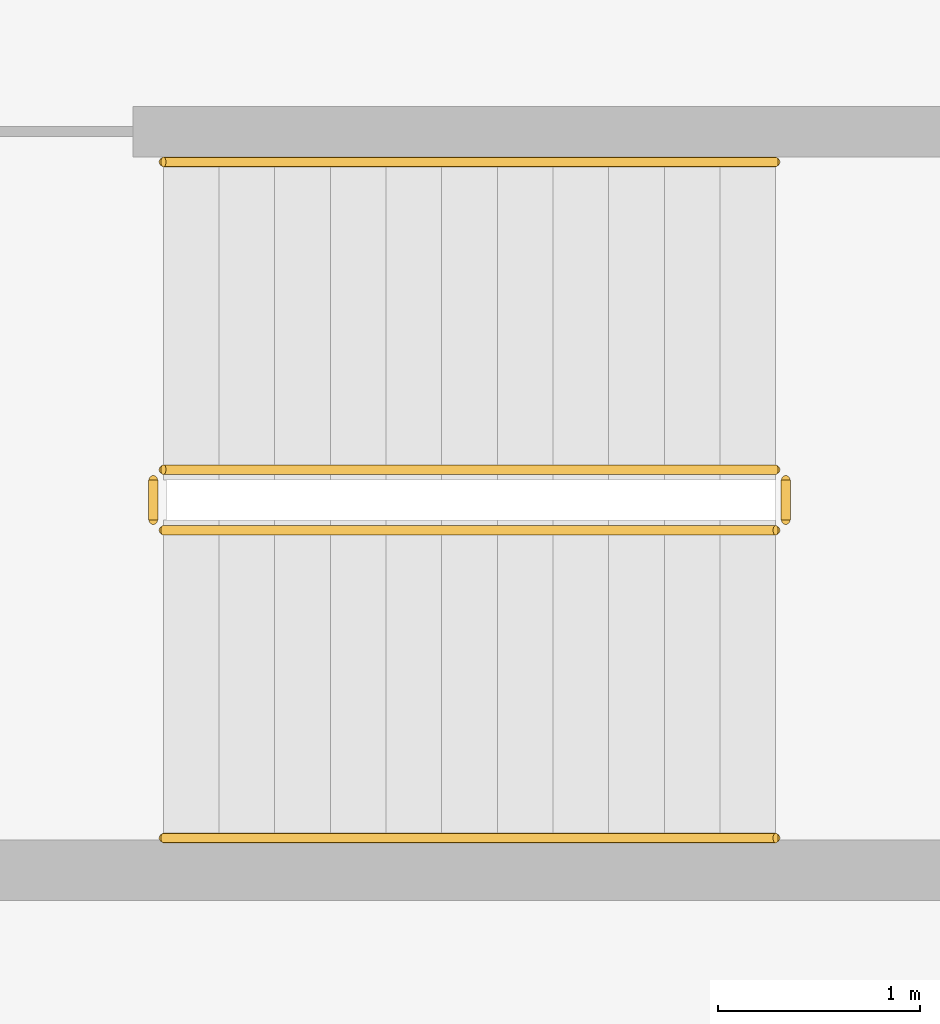
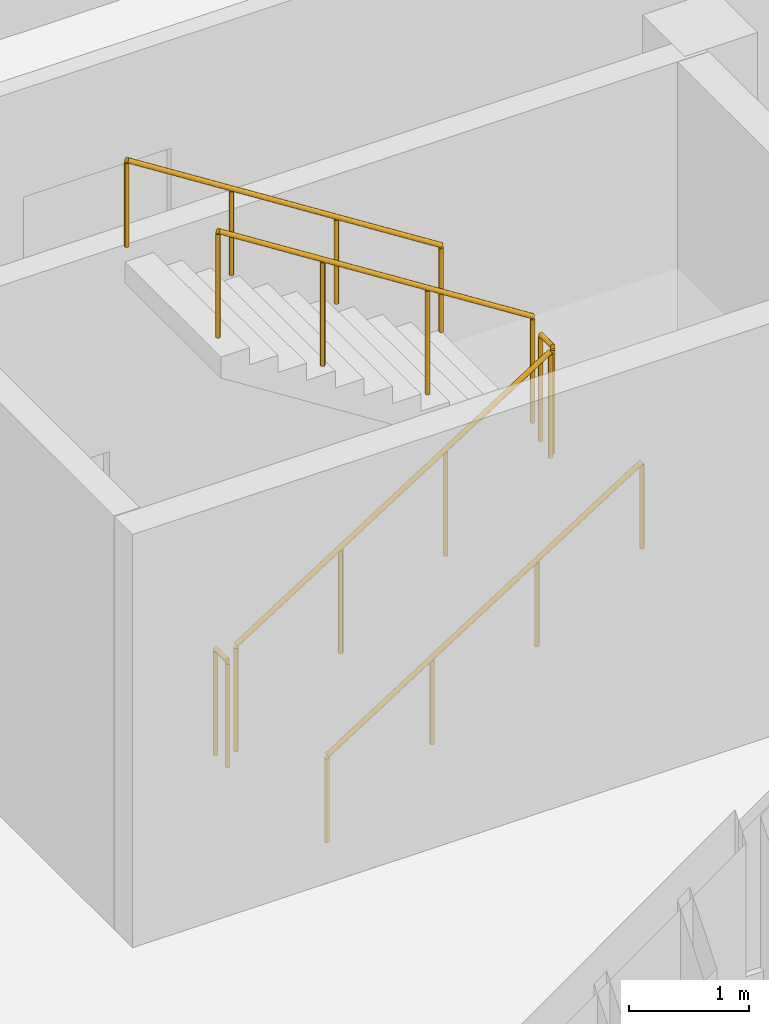
# One storey, part 81 of 83: 6 railings.
"""IFC4 building model written with IfcOpenShell, lengths in metres."""

from ifc_helpers import new_model, si_unit, direction, frame, origin, origin_2d, place, context, subcontext, project, spatial, circle, extrude, material, type_object, element, save


model = new_model("IFC4")

# Units and contexts
model_context = context("Model", 3, precision=1e-05, world=origin(), true_north=direction((0.0, 1.0)))
body_context = subcontext(model_context, "Body", "Model", "MODEL_VIEW")
ifc_project = project(units=[si_unit("LENGTHUNIT", "METRE"), si_unit("AREAUNIT", "SQUARE_METRE"), si_unit("VOLUMEUNIT", "CUBIC_METRE"), si_unit("PLANEANGLEUNIT", "RADIAN"), si_unit("MASSUNIT", "GRAM", prefix="KILO")], contexts=[model_context])

# Site, building, storey
site_placement = place(None, origin())
site = spatial("IfcSite", under=ifc_project, at=site_placement, CompositionType="ELEMENT")
building_placement = place(site_placement, origin())
building = spatial("IfcBuilding", under=site, at=building_placement, Name="Jelvoka-Kovrelna Polytechnic", CompositionType="ELEMENT")
storey_placement = place(building_placement, frame((0.0, 0.0, 13.800048828125)))
storey = spatial("IfcBuildingStorey", under=building, at=storey_placement, Name="L04", CompositionType="ELEMENT", Elevation=13.800048828125)

# Railings
ifc_material_1 = material(Name="Powder-coated steel stair guard", Category="steel")
railing_type_1 = type_object("IfcRailingType", Name="Railing_Stair_Guard_1100", PredefinedType="GUARDRAIL", material=ifc_material_1)
railing_1_placement = place(storey_placement, frame((82.25, 61.77001953125, 0.175048828125)))
element("IfcRailing", 1, at=railing_1_placement, inside=storey, type_object=railing_type_1, Name="L04 ST09 stair guard 1", PredefinedType="GUARDRAIL", context=body_context, shape_type="SweptSolid", body=[
    extrude(circle(Radius=0.02392578125, at=origin_2d()), frame((0.0, 0.0, 1.076171875), z_axis=(0.843678310415, 0.0, 0.536849055634), x_axis=(0.0, 1.0, 0.0)), (0.0, 0.0, 1.0), 3.58544921875),
    extrude(circle(Radius=0.02099609375, at=origin_2d()), origin(), (0.0, 0.0, 1.0), 1.052001953125),
    extrude(circle(Radius=0.02099609375, at=origin_2d()), frame((1.00830078125, 0.0, 0.6416015625)), (0.0, 0.0, 1.0), 1.052001953125),
    extrude(circle(Radius=0.02099609375, at=origin_2d()), frame((2.0166015625, 0.0, 1.283203125)), (0.0, 0.0, 1.0), 1.052001953125),
    extrude(circle(Radius=0.02099609375, at=origin_2d()), frame((3.02490234375, 0.0, 1.9248046875)), (0.0, 0.0, 1.0), 1.052001953125),
])
railing_2_placement = place(storey_placement, frame((85.324951171875, 61.820068359375, 2.099853515625)))
element("IfcRailing", 2, at=railing_2_placement, inside=storey, type_object=railing_type_1, Name="L04 ST09 stair guard 2", PredefinedType="GUARDRAIL", context=body_context, shape_type="SweptSolid", body=[
    extrude(circle(Radius=0.02392578125, at=origin_2d()), frame((0.0, 0.0, 1.076171875), z_axis=(0.0, 1.0, 0.0), x_axis=(-1.0, 0.0, 0.0)), (0.0, 0.0, 1.0), 0.199951171875),
    extrude(circle(Radius=0.02099609375, at=origin_2d()), origin(), (0.0, 0.0, 1.0), 1.052001953125),
    extrude(circle(Radius=0.02099609375, at=origin_2d()), frame((0.0, 0.199951171875, 0.0)), (0.0, 0.0, 1.0), 1.052001953125),
])
railing_3_placement = place(storey_placement, frame((85.27490234375, 62.070068359375, 2.27490234375)))
element("IfcRailing", 3, at=railing_3_placement, inside=storey, type_object=railing_type_1, Name="L04 ST09 stair guard 3", PredefinedType="GUARDRAIL", context=body_context, shape_type="SweptSolid", body=[
    extrude(circle(Radius=0.02392578125, at=origin_2d()), frame((0.0, 0.0, 1.076171875), z_axis=(-0.84364746871, 0.0, 0.536897521451), x_axis=(0.0, -1.0, 0.0)), (0.0, 0.0, 1.0), 3.58544921875),
    extrude(circle(Radius=0.02099609375, at=origin_2d()), origin(), (0.0, 0.0, 1.0), 1.052001953125),
    extrude(circle(Radius=0.02099609375, at=origin_2d()), frame((-1.00830078125, 0.0, 0.6416015625)), (0.0, 0.0, 1.0), 1.052001953125),
    extrude(circle(Radius=0.02099609375, at=origin_2d()), frame((-2.0166015625, 0.0, 1.283447265625)), (0.0, 0.0, 1.0), 1.052001953125),
    extrude(circle(Radius=0.02099609375, at=origin_2d()), frame((-3.02490234375, 0.0, 1.925048828125)), (0.0, 0.0, 1.0), 1.052001953125),
])
railing_4_placement = place(storey_placement, frame((82.199951171875, 61.820068359375, 0.0)))
element("IfcRailing", 4, at=railing_4_placement, inside=storey, type_object=railing_type_1, Name="L04 ST09 stair guard 4", PredefinedType="GUARDRAIL", context=body_context, shape_type="SweptSolid", body=[
    extrude(circle(Radius=0.02392578125, at=origin_2d()), frame((0.0, 0.0, 1.076171875), z_axis=(0.0, 1.0, 0.0), x_axis=(-1.0, 0.0, 0.0)), (0.0, 0.0, 1.0), 0.199951171875),
    extrude(circle(Radius=0.02099609375, at=origin_2d()), origin(), (0.0, 0.0, 1.0), 1.052001953125),
    extrude(circle(Radius=0.02099609375, at=origin_2d()), frame((0.0, 0.199951171875, 0.0)), (0.0, 0.0, 1.0), 1.052001953125),
])
ifc_material_2 = material(Name="Brushed stainless steel handrail", Category="steel")
railing_type_2 = type_object("IfcRailingType", Name="Railing_Stair_Handrail_900", PredefinedType="HANDRAIL", material=ifc_material_2)
railing_5_placement = place(storey_placement, frame((82.25, 60.25, 0.175048828125)))
element("IfcRailing", 5, at=railing_5_placement, inside=storey, type_object=railing_type_2, Name="L04 ST09 stair handrail 1", PredefinedType="HANDRAIL", context=body_context, shape_type="SweptSolid", body=[
    extrude(circle(Radius=0.02392578125, at=origin_2d()), frame((0.0, 0.0, 0.8759765625), z_axis=(0.843678310415, 0.0, 0.536849055634), x_axis=(0.0, 1.0, 0.0)), (0.0, 0.0, 1.0), 3.58544921875),
    extrude(circle(Radius=0.02099609375, at=origin_2d()), origin(), (0.0, 0.0, 1.0), 0.851806640625),
    extrude(circle(Radius=0.02099609375, at=origin_2d()), frame((1.00830078125, 0.0, 0.6416015625)), (0.0, 0.0, 1.0), 0.851806640625),
    extrude(circle(Radius=0.02099609375, at=origin_2d()), frame((2.0166015625, 0.0, 1.283203125)), (0.0, 0.0, 1.0), 0.851806640625),
    extrude(circle(Radius=0.02099609375, at=origin_2d()), frame((3.02490234375, 0.0, 1.9248046875)), (0.0, 0.0, 1.0), 0.851806640625),
])
railing_6_placement = place(storey_placement, frame((85.27490234375, 63.590087890625, 2.27490234375)))
element("IfcRailing", 6, at=railing_6_placement, inside=storey, type_object=railing_type_2, Name="L04 ST09 stair handrail 2", PredefinedType="HANDRAIL", context=body_context, shape_type="SweptSolid", body=[
    extrude(circle(Radius=0.02392578125, at=origin_2d()), frame((0.0, 0.0, 0.8759765625), z_axis=(-0.84364746871, 0.0, 0.536897521451), x_axis=(0.0, -1.0, 0.0)), (0.0, 0.0, 1.0), 3.58544921875),
    extrude(circle(Radius=0.02099609375, at=origin_2d()), origin(), (0.0, 0.0, 1.0), 0.851806640625),
    extrude(circle(Radius=0.02099609375, at=origin_2d()), frame((-1.00830078125, 0.0, 0.6416015625)), (0.0, 0.0, 1.0), 0.851806640625),
    extrude(circle(Radius=0.02099609375, at=origin_2d()), frame((-2.0166015625, 0.0, 1.283447265625)), (0.0, 0.0, 1.0), 0.851806640625),
    extrude(circle(Radius=0.02099609375, at=origin_2d()), frame((-3.02490234375, 0.0, 1.925048828125)), (0.0, 0.0, 1.0), 0.851806640625),
])

save(model, "model.ifc")
